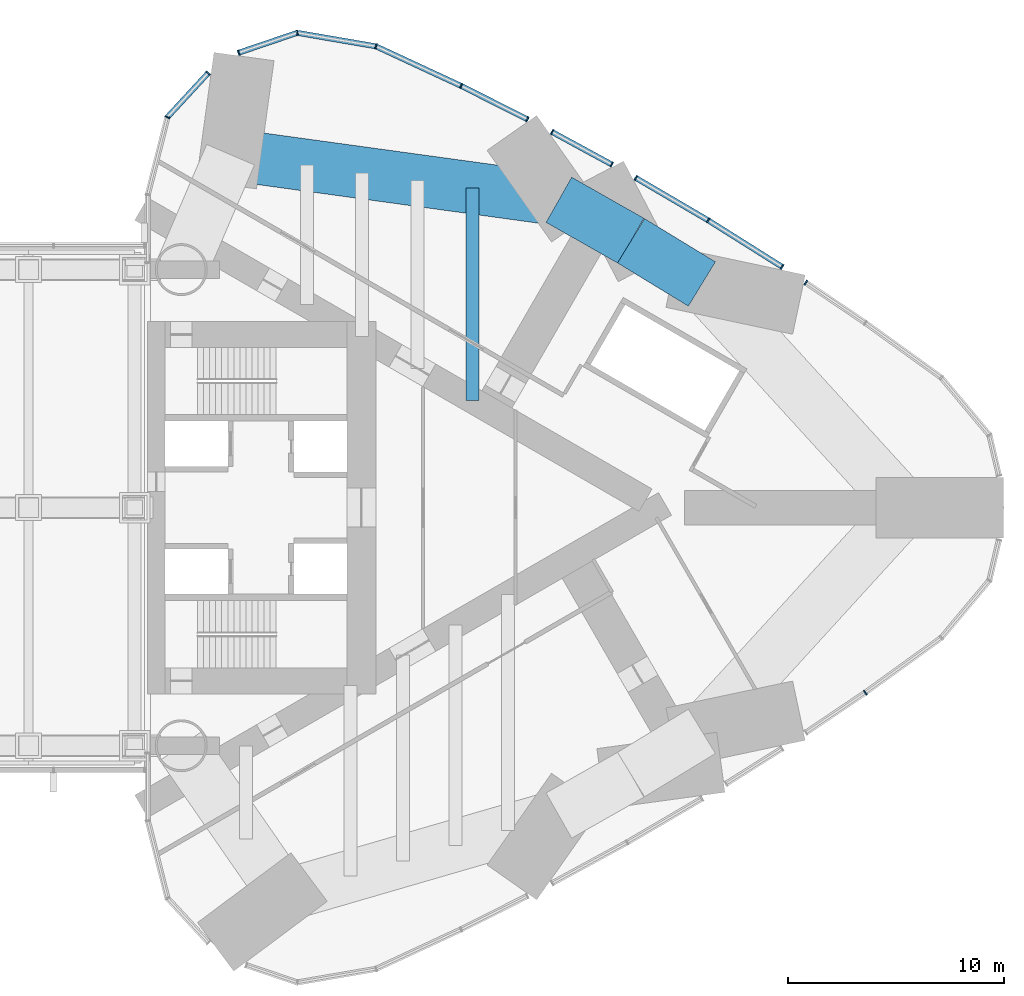
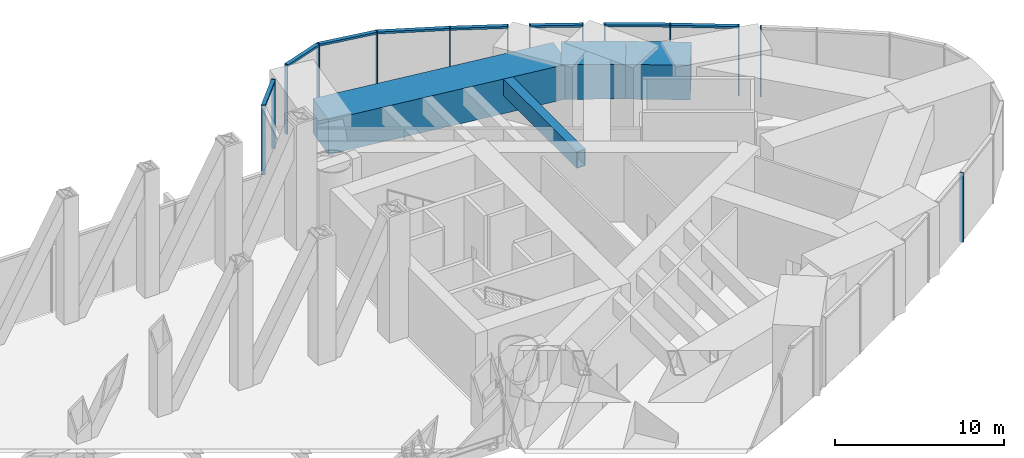
# One storey, part 12 of 21: 22 members, 4 beams, 6 elements without a shape of their own.
"""IFC4 building model written with IfcOpenShell, lengths in metres."""

import ifcopenshell
import ifcopenshell.guid

model = None  # the IFC model being written
_history = None  # IfcOwnerHistory: only IFC2X3 demands one
_inside = {}  # id of a spatial element -> (the spatial element, [elements in it])
_under = {}  # id of a project, library or spatial element -> (it, [spatial elements below it])
_declared = {}  # id of a project -> (the project, [libraries it declares])
_typed = {}  # id of a type object -> (the type object, [elements of that type])
_made_of = {}  # id of a material, layer set ... -> (it, [elements and type objects made of it])


def new_model(schema):
    """Start an empty IFC model of exactly this schema.

    Asked for "IFC4X3", IfcOpenShell would pick the latest addendum, in which some entities
    have other attributes; the version numbers below select the first issue.
    IFC2X3 requires an IfcOwnerHistory on every rooted entity: one is made here for all.
    """
    global model, _history
    if schema == "IFC4X3":
        model = ifcopenshell.file(schema_version=(4, 3, 0, 0))
    else:
        model = ifcopenshell.file(schema=schema)
    _inside.clear()
    _under.clear()
    _declared.clear()
    _typed.clear()
    _made_of.clear()
    _history = None
    if model.schema == "IFC2X3":
        org = make("IfcOrganization", Name="unknown")
        user = make(
            "IfcPersonAndOrganization",
            ThePerson=make("IfcPerson", FamilyName="unknown"),
            TheOrganization=org,
        )
        app = make(
            "IfcApplication",
            ApplicationDeveloper=org,
            Version="unknown",
            ApplicationFullName="unknown",
            ApplicationIdentifier="unknown",
        )
        _history = make(
            "IfcOwnerHistory",
            OwningUser=user,
            OwningApplication=app,
            ChangeAction="ADDED",
            CreationDate=0,
        )
    return model


def make(cls, **values):
    """One entity of the class cls with the attributes given. An attribute that is None is left unset."""
    return model.create_entity(
        cls, **{name: value for name, value in values.items() if value is not None}
    )


def rooted(cls, **values):
    """An entity with a GlobalId (a new one), such as an element, a storey or a relation."""
    return make(cls, GlobalId=ifcopenshell.guid.new(), OwnerHistory=_history, **values)


def si_unit(unit_type, name, prefix=None):
    """IfcSIUnit, for example si_unit("LENGTHUNIT", "METRE", prefix="MILLI")."""
    return make("IfcSIUnit", UnitType=unit_type, Prefix=prefix, Name=name)


def assignment(units):
    """IfcUnitAssignment: the units of a project."""
    return None if units is None else make("IfcUnitAssignment", Units=units)


def point(xyz):
    """IfcCartesianPoint."""
    return None if xyz is None else make("IfcCartesianPoint", Coordinates=xyz)


def direction(xyz):
    """IfcDirection."""
    return None if xyz is None else make("IfcDirection", DirectionRatios=xyz)


def frame(location, z_axis=None, x_axis=None):
    """IfcAxis2Placement3D, a coordinate frame: its origin and axes. An axis left out is left unset."""
    return make(
        "IfcAxis2Placement3D",
        Location=point(location),
        Axis=direction(z_axis),
        RefDirection=direction(x_axis),
    )


def frame_2d(location, x_axis=None):
    """IfcAxis2Placement2D, a coordinate frame in the plane: its origin and x axis."""
    return make(
        "IfcAxis2Placement2D", Location=point(location), RefDirection=direction(x_axis)
    )


def origin():
    """The frame at (0, 0, 0) with its axes left unset."""
    return frame((0.0, 0.0, 0.0))


def origin_2d():
    """The frame at (0, 0) in the plane with its x axis left unset."""
    return frame_2d((0.0, 0.0))


def place(relative_to, where):
    """IfcLocalPlacement: puts the frame where relative to a parent placement (None: the world)."""
    return make(
        "IfcLocalPlacement", PlacementRelTo=relative_to, RelativePlacement=where
    )


def context(
    kind, dimensions, precision=None, world=None, true_north=None, identifier=None
):
    """IfcGeometricRepresentationContext, for example the 3D "Model" context."""
    return make(
        "IfcGeometricRepresentationContext",
        ContextIdentifier=identifier,
        ContextType=kind,
        CoordinateSpaceDimension=dimensions,
        Precision=precision,
        WorldCoordinateSystem=world,
        TrueNorth=true_north,
    )


def subcontext(parent, identifier, kind, view, scale=None):
    """IfcGeometricRepresentationSubContext, for example "Body" below "Model"."""
    return make(
        "IfcGeometricRepresentationSubContext",
        ContextIdentifier=identifier,
        ContextType=kind,
        ParentContext=parent,
        TargetScale=scale,
        TargetView=view,
    )


def project(units=None, contexts=None):
    """IfcProject with its units and contexts."""
    return rooted(
        "IfcProject",
        Name="project",
        RepresentationContexts=contexts,
        UnitsInContext=assignment(units),
    )


def spatial(cls, under=None, at=None, **own):
    """A site, building, storey or space (cls), placed at a placement, below another one or the project."""
    s = rooted(cls, ObjectPlacement=at, **own)
    if under is not None:
        _under.setdefault(under.id(), (under, []))[1].append(s)
    return s


def profile(cls, at=None, kind="AREA", **sizes):
    """A parametric profile (cls). Its sizes go by their IFC names, for example OverallWidth=200.0."""
    return make(cls, ProfileType=kind, Position=at, **sizes)


def rectangle(**sizes):
    """IfcRectangleProfileDef."""
    return profile("IfcRectangleProfileDef", **sizes)


def hollow_rectangle(**sizes):
    """IfcRectangleHollowProfileDef."""
    return profile("IfcRectangleHollowProfileDef", **sizes)


def extrude(swept, where, along, depth):
    """IfcExtrudedAreaSolid: the profile swept, set in the frame where, extruded along a direction by depth."""
    return make(
        "IfcExtrudedAreaSolid",
        SweptArea=swept,
        Position=where,
        ExtrudedDirection=direction(along),
        Depth=depth,
    )


def shape(context_of_items, identifier, shape_type, items):
    """IfcShapeRepresentation: the items that make up one representation, for example the "Body"."""
    return make(
        "IfcShapeRepresentation",
        ContextOfItems=context_of_items,
        RepresentationIdentifier=identifier,
        RepresentationType=shape_type,
        Items=items,
    )


def material(Name=None, Category=None):
    """IfcMaterial."""
    return make("IfcMaterial", Name=Name, Category=Category)


def material_profile(
    of_material, cross_section, Name=None, Category=None, Priority=None
):
    """IfcMaterialProfile: a cross section and its material."""
    return make(
        "IfcMaterialProfile",
        Name=Name,
        Material=of_material,
        Profile=cross_section,
        Priority=Priority,
        Category=Category,
    )


def profile_set(profiles, Name=None, composite=None):
    """IfcMaterialProfileSet."""
    return make(
        "IfcMaterialProfileSet",
        Name=Name,
        MaterialProfiles=profiles,
        CompositeProfile=composite,
    )


def made_of(thing, what):
    """Note that an element or type object is made of a material, layer set ...; save() writes the relation."""
    if what is not None:
        _made_of.setdefault(what.id(), (what, []))[1].append(thing)
    return thing


def type_object(cls, material=None, **own):
    """A type object (cls), such as IfcWallType, which elements share."""
    return made_of(rooted(cls, **own), material)


def element(
    cls,
    number,
    at=None,
    inside=None,
    cuts=None,
    type_object=None,
    material=None,
    context=None,
    identifier="Body",
    shape_type=None,
    held_by="IfcProductDefinitionShape",
    body=None,
    shapes=None,
    **own,
):
    """One element of the class cls, such as IfcWall. Its Tag is "e" and its number.

    at: its placement. inside: the storey or other place that contains it. cuts: it is an
    opening in that element (IfcRelVoidsElement). A single representation is given by context,
    identifier, shape_type and body (its items); several are given by shapes. held_by: the class
    of the entity that holds the representations. save() writes the other relations.
    """
    e = rooted(cls, Tag="e%d" % number, ObjectPlacement=at, **own)
    if body is not None:
        shapes = [shape(context, identifier, shape_type, body)]
    if shapes is not None:
        e.Representation = make(held_by, Representations=shapes)
    if inside is not None:
        _inside.setdefault(inside.id(), (inside, []))[1].append(e)
    if cuts is not None:
        rooted(
            "IfcRelVoidsElement", RelatingBuildingElement=cuts, RelatedOpeningElement=e
        )
    if type_object is not None:
        _typed.setdefault(type_object.id(), (type_object, []))[1].append(e)
    return made_of(e, material)


def aggregate(whole, parts):
    """IfcRelAggregates: a whole, such as a stair, and the parts it consists of."""
    return rooted("IfcRelAggregates", RelatingObject=whole, RelatedObjects=parts)


def save(model, path):
    """Write the relations noted so far, then the file.

    IfcRelAggregates (storeys below a building ...), IfcRelContainedInSpatialStructure (elements
    in a storey), IfcRelDefinesByType, IfcRelAssociatesMaterial and IfcRelDeclares: one each for
    every whole, place, type object, material and project.
    """
    for whole, parts in _under.values():
        aggregate(whole, parts)
    for where, things in _inside.values():
        rooted(
            "IfcRelContainedInSpatialStructure",
            RelatedElements=things,
            RelatingStructure=where,
        )
    for kind, things in _typed.values():
        rooted("IfcRelDefinesByType", RelatedObjects=things, RelatingType=kind)
    for what, things in _made_of.values():
        rooted("IfcRelAssociatesMaterial", RelatedObjects=things, RelatingMaterial=what)
    for by, libraries in _declared.values():
        rooted("IfcRelDeclares", RelatingContext=by, RelatedDefinitions=libraries)
    model.write(path)


model = new_model("IFC4")

# Units and contexts
model_context = context("Model", 3, precision=1e-05, world=origin(), true_north=direction((0.0, 1.0)))
body_context = subcontext(model_context, "Body", "Model", "MODEL_VIEW")
ifc_project = project(units=[si_unit("LENGTHUNIT", "METRE"), si_unit("AREAUNIT", "SQUARE_METRE"), si_unit("VOLUMEUNIT", "CUBIC_METRE"), si_unit("PLANEANGLEUNIT", "RADIAN"), si_unit("MASSUNIT", "GRAM", prefix="KILO")], contexts=[model_context])

# Site, building, storey
site_placement = place(None, origin())
site = spatial("IfcSite", under=ifc_project, at=site_placement, CompositionType="ELEMENT")
building_placement = place(site_placement, origin())
building = spatial("IfcBuilding", under=site, at=building_placement, Name="Lancet Gate Hotel", CompositionType="ELEMENT")
storey_placement = place(building_placement, frame((0.0, 0.0, 205.300048828125)))
storey = spatial("IfcBuildingStorey", under=building, at=storey_placement, Name="L55", CompositionType="ELEMENT", Elevation=205.300048828125)

# Curtain wall, member
ifc_material_1 = material(Name="Aluminium curtain wall", Category="aluminium")
curtain_wall_type = type_object("IfcCurtainWallType", Name="Refuge storey louvred curtain wall", PredefinedType="USERDEFINED", material=ifc_material_1)
curtain_wall_1_placement = place(storey_placement, origin())
curtain_wall_1 = element("IfcCurtainWall", 1, at=curtain_wall_1_placement, inside=storey, type_object=curtain_wall_type, Name="T2 L55 curtain wall 5", ObjectType="LANTERN GLAZING", PredefinedType="USERDEFINED")
ifc_material_2 = material(Name="Aluminium mullion", Category="aluminium")
ifc_material_profile_1 = material_profile(ifc_material_2, rectangle(XDim=0.06494140625, YDim=0.25, at=origin_2d()), Name="MULLION 65x250")
ifc_profile_set_1 = profile_set([ifc_material_profile_1], Name="Aluminium mullion")
member_type_1 = type_object("IfcMemberType", Name="Aluminium mullion 65x250", PredefinedType="MULLION", material=ifc_profile_set_1)
member_1_placement = place(storey_placement, frame((60.66015625, -8.547607421875, 0.0), z_axis=(0.0, 0.0, 1.0), x_axis=(0.818865629358, 0.573985262055, 0.0)))
member_1 = element("IfcMember", 2, at=member_1_placement, type_object=member_type_1, Name="T2 L55 curtain wall 5 mullion 2", PredefinedType="MULLION", context=body_context, shape_type="SweptSolid", body=[
    extrude(rectangle(XDim=0.06494140625, YDim=0.25, at=origin_2d()), origin(), (0.0, 0.0, 1.0), 5.0),
])
aggregate(curtain_wall_1, [member_1])

curtain_wall_2_placement = place(storey_placement, origin())
curtain_wall_2 = element("IfcCurtainWall", 3, at=curtain_wall_2_placement, inside=storey, type_object=curtain_wall_type, Name="T2 L55 curtain wall 6", ObjectType="LANTERN GLAZING", PredefinedType="USERDEFINED")
member_2_placement = place(storey_placement, frame((57.90673828125, 10.404541015625, 0.0), z_axis=(0.0, 0.0, 1.0), x_axis=(-0.829038793948, 0.559191092677, 0.0)))
member_2 = element("IfcMember", 4, at=member_2_placement, type_object=member_type_1, Name="T2 L55 curtain wall 6 mullion 5", PredefinedType="MULLION", context=body_context, shape_type="SweptSolid", body=[
    extrude(rectangle(XDim=0.06494140625, YDim=0.25, at=origin_2d()), origin(), (0.0, 0.0, 1.0), 5.0),
])
aggregate(curtain_wall_2, [member_2])

# Curtain wall, members
curtain_wall_3_placement = place(storey_placement, origin())
curtain_wall_3 = element("IfcCurtainWall", 5, at=curtain_wall_3_placement, inside=storey, type_object=curtain_wall_type, Name="T2 L55 curtain wall 7", ObjectType="LANTERN GLAZING", PredefinedType="USERDEFINED")
member_3_placement = place(storey_placement, frame((56.81591796875, 11.129150390625, 0.0), z_axis=(0.0, 0.0, 1.0), x_axis=(-0.846352453444, 0.532623248225, 0.0)))
member_3 = element("IfcMember", 6, at=member_3_placement, type_object=member_type_1, Name="T2 L55 curtain wall 7 mullion 1", PredefinedType="MULLION", context=body_context, shape_type="SweptSolid", body=[
    extrude(rectangle(XDim=0.06494140625, YDim=0.25, at=origin_2d()), origin(), (0.0, 0.0, 1.0), 5.0),
])
member_4_placement = place(storey_placement, frame((53.39892578125, 13.279541015625, 0.0), z_axis=(0.0, 0.0, 1.0), x_axis=(-0.854524909331, 0.519410415117, 0.0)))
member_4 = element("IfcMember", 7, at=member_4_placement, type_object=member_type_1, Name="T2 L55 curtain wall 7 mullion 2", PredefinedType="MULLION", context=body_context, shape_type="SweptSolid", body=[
    extrude(rectangle(XDim=0.06494140625, YDim=0.25, at=origin_2d()), origin(), (0.0, 0.0, 1.0), 5.0),
])
member_5_placement = place(storey_placement, frame((50.053466796875, 15.239501953125, 0.0), z_axis=(0.0, 0.0, 1.0), x_axis=(-0.862815009772, 0.505519790822, 0.0)))
member_5 = element("IfcMember", 8, at=member_5_placement, type_object=member_type_1, Name="T2 L55 curtain wall 7 mullion 3", PredefinedType="MULLION", context=body_context, shape_type="SweptSolid", body=[
    extrude(rectangle(XDim=0.06494140625, YDim=0.25, at=origin_2d()), origin(), (0.0, 0.0, 1.0), 5.0),
])

curtain_wall_4_placement = place(storey_placement, origin())
curtain_wall_4 = element("IfcCurtainWall", 9, at=curtain_wall_4_placement, inside=storey, type_object=curtain_wall_type, Name="T2 L55 curtain wall 8", ObjectType="LANTERN GLAZING", PredefinedType="USERDEFINED")
member_6_placement = place(storey_placement, frame((48.946533203125, 15.8583984375, 0.0), z_axis=(0.0, 0.0, 1.0), x_axis=(-0.878409907967, 0.477907976063, 0.0)))
member_6 = element("IfcMember", 10, at=member_6_placement, type_object=member_type_1, Name="T2 L55 curtain wall 8 mullion 1", PredefinedType="MULLION", context=body_context, shape_type="SweptSolid", body=[
    extrude(rectangle(XDim=0.06494140625, YDim=0.25, at=origin_2d()), origin(), (0.0, 0.0, 1.0), 5.0),
])
member_7_placement = place(storey_placement, frame((46.186279296875, 17.360107421875, 0.0), z_axis=(0.0, 0.0, 1.0), x_axis=(-0.878409907967, 0.477907976063, 0.0)))
member_7 = element("IfcMember", 11, at=member_7_placement, type_object=member_type_1, Name="T2 L55 curtain wall 8 mullion 2", PredefinedType="MULLION", context=body_context, shape_type="SweptSolid", body=[
    extrude(rectangle(XDim=0.06494140625, YDim=0.25, at=origin_2d()), origin(), (0.0, 0.0, 1.0), 5.0),
])

curtain_wall_5_placement = place(storey_placement, origin())
curtain_wall_5 = element("IfcCurtainWall", 12, at=curtain_wall_5_placement, inside=storey, type_object=curtain_wall_type, Name="T2 L55 curtain wall 9", ObjectType="LANTERN GLAZING", PredefinedType="USERDEFINED")
member_8_placement = place(storey_placement, frame((45.04443359375, 17.94873046875, 0.0), z_axis=(0.0, 0.0, 1.0), x_axis=(-0.893121465596, 0.449815570752, 0.0)))
member_8 = element("IfcMember", 13, at=member_8_placement, type_object=member_type_1, Name="T2 L55 curtain wall 9 mullion 1", PredefinedType="MULLION", context=body_context, shape_type="SweptSolid", body=[
    extrude(rectangle(XDim=0.06494140625, YDim=0.25, at=origin_2d()), origin(), (0.0, 0.0, 1.0), 5.0),
])
member_9_placement = place(storey_placement, frame((41.98193359375, 19.490966796875, 0.0), z_axis=(0.0, 0.0, 1.0), x_axis=(-0.900945073021, 0.433933146232, 0.0)))
member_9 = element("IfcMember", 14, at=member_9_placement, type_object=member_type_1, Name="T2 L55 curtain wall 9 mullion 2", PredefinedType="MULLION", context=body_context, shape_type="SweptSolid", body=[
    extrude(rectangle(XDim=0.06494140625, YDim=0.25, at=origin_2d()), origin(), (0.0, 0.0, 1.0), 5.0),
])
member_10_placement = place(storey_placement, frame((38.05126953125, 21.31689453125, 0.0), z_axis=(0.0, 0.0, 1.0), x_axis=(-0.951355493327, 0.308095318555, 0.0)))
member_10 = element("IfcMember", 15, at=member_10_placement, type_object=member_type_1, Name="T2 L55 curtain wall 9 mullion 3", PredefinedType="MULLION", context=body_context, shape_type="SweptSolid", body=[
    extrude(rectangle(XDim=0.06494140625, YDim=0.25, at=origin_2d()), origin(), (0.0, 0.0, 1.0), 5.0),
])
member_11_placement = place(storey_placement, frame((34.412109375, 21.9423828125, 0.0), z_axis=(0.0, 0.0, 1.0), x_axis=(-0.99893715472, -0.046092959559, 0.0)))
member_11 = element("IfcMember", 16, at=member_11_placement, type_object=member_type_1, Name="T2 L55 curtain wall 9 mullion 4", PredefinedType="MULLION", context=body_context, shape_type="SweptSolid", body=[
    extrude(rectangle(XDim=0.06494140625, YDim=0.25, at=origin_2d()), origin(), (0.0, 0.0, 1.0), 5.0),
])
member_12_placement = place(storey_placement, frame((31.705810546875, 21.02392578125, 0.0), z_axis=(0.0, 0.0, 1.0), x_axis=(-0.946952368511, -0.321373943827, 0.0)))
member_12 = element("IfcMember", 17, at=member_12_placement, type_object=member_type_1, Name="T2 L55 curtain wall 9 mullion 5", PredefinedType="MULLION", context=body_context, shape_type="SweptSolid", body=[
    extrude(rectangle(XDim=0.06494140625, YDim=0.25, at=origin_2d()), origin(), (0.0, 0.0, 1.0), 5.0),
])

curtain_wall_6_placement = place(storey_placement, origin())
curtain_wall_6 = element("IfcCurtainWall", 18, at=curtain_wall_6_placement, inside=storey, type_object=curtain_wall_type, Name="T2 L55 curtain wall 10", ObjectType="LANTERN GLAZING", PredefinedType="USERDEFINED")
member_13_placement = place(storey_placement, frame((30.28955078125, 20.07861328125, 0.0), z_axis=(0.0, 0.0, 1.0), x_axis=(-0.67883123083, -0.734294327943, 0.0)))
member_13 = element("IfcMember", 19, at=member_13_placement, type_object=member_type_1, Name="T2 L55 curtain wall 10 mullion 1", PredefinedType="MULLION", context=body_context, shape_type="SweptSolid", body=[
    extrude(rectangle(XDim=0.06494140625, YDim=0.25, at=origin_2d()), origin(), (0.0, 0.0, 1.0), 5.0),
])
member_14_placement = place(storey_placement, frame((28.408935546875, 18.04443359375, 0.0), z_axis=(0.0, 0.0, 1.0), x_axis=(-0.445044246397, -0.895508581058, 0.0)))
member_14 = element("IfcMember", 20, at=member_14_placement, type_object=member_type_1, Name="T2 L55 curtain wall 10 mullion 2", PredefinedType="MULLION", context=body_context, shape_type="SweptSolid", body=[
    extrude(rectangle(XDim=0.06494140625, YDim=0.25, at=origin_2d()), origin(), (0.0, 0.0, 1.0), 5.0),
])

# Member
ifc_material_3 = material(Name="Aluminium transom", Category="aluminium")
ifc_material_profile_2 = material_profile(ifc_material_3, rectangle(XDim=0.25, YDim=0.14990234375, at=origin_2d()), Name="TRANSOM 250x150")
ifc_profile_set_2 = profile_set([ifc_material_profile_2], Name="Aluminium transom")
member_type_2 = type_object("IfcMemberType", Name="Aluminium transom 250x150", PredefinedType="USERDEFINED", material=ifc_profile_set_2)
member_15_placement = place(storey_placement, frame((56.788330078125, 11.146484375, 4.925048828125), z_axis=(-0.846343672289, 0.532637201457, 0.0), x_axis=(-0.532637201457, -0.846343672289, 0.0)))
member_15 = element("IfcMember", 21, at=member_15_placement, type_object=member_type_2, Name="T2 L55 curtain wall 7 transom 1", ObjectType="TRANSOM", PredefinedType="USERDEFINED", context=body_context, shape_type="SweptSolid", body=[
    extrude(rectangle(XDim=0.25, YDim=0.14990234375, at=origin_2d()), origin(), (0.0, 0.0, 1.0), 3.97216796875),
])

member_16_placement = place(storey_placement, frame((53.37109375, 13.2958984375, 4.925048828125), z_axis=(-0.862825108715, 0.505502553674, 0.0), x_axis=(-0.505502553674, -0.862825108715, 0.0)))
member_16 = element("IfcMember", 22, at=member_16_placement, type_object=member_type_2, Name="T2 L55 curtain wall 7 transom 2", ObjectType="TRANSOM", PredefinedType="USERDEFINED", context=body_context, shape_type="SweptSolid", body=[
    extrude(rectangle(XDim=0.25, YDim=0.14990234375, at=origin_2d()), origin(), (0.0, 0.0, 1.0), 3.8125),
])

aggregate(curtain_wall_3, [member_3, member_4, member_5, member_15, member_16])

member_17_placement = place(storey_placement, frame((48.91796875, 15.873779296875, 4.925048828125), z_axis=(-0.878404441508, 0.477918023451, 0.0), x_axis=(-0.477918023451, -0.878404441508, 0.0)))
member_17 = element("IfcMember", 23, at=member_17_placement, type_object=member_type_2, Name="T2 L55 curtain wall 8 transom 1", ObjectType="TRANSOM", PredefinedType="USERDEFINED", context=body_context, shape_type="SweptSolid", body=[
    extrude(rectangle(XDim=0.25, YDim=0.14990234375, at=origin_2d()), origin(), (0.0, 0.0, 1.0), 3.077392578125),
])

aggregate(curtain_wall_4, [member_6, member_7, member_17])

member_18_placement = place(storey_placement, frame((45.015380859375, 17.96337890625, 4.925048828125), z_axis=(-0.893146167773, 0.449766520534, 0.0), x_axis=(-0.449766520534, -0.893146167773, 0.0)))
member_18 = element("IfcMember", 24, at=member_18_placement, type_object=member_type_2, Name="T2 L55 curtain wall 9 transom 1", ObjectType="TRANSOM", PredefinedType="USERDEFINED", context=body_context, shape_type="SweptSolid", body=[
    extrude(rectangle(XDim=0.25, YDim=0.14990234375, at=origin_2d()), origin(), (0.0, 0.0, 1.0), 3.36376953125),
])

member_19_placement = place(storey_placement, frame((41.952392578125, 19.504638671875, 4.925048828125), z_axis=(-0.906913768492, 0.421316290357, 0.0), x_axis=(-0.421316290357, -0.906913768492, 0.0)))
member_19 = element("IfcMember", 25, at=member_19_placement, type_object=member_type_2, Name="T2 L55 curtain wall 9 transom 2", ObjectType="TRANSOM", PredefinedType="USERDEFINED", context=body_context, shape_type="SweptSolid", body=[
    extrude(rectangle(XDim=0.25, YDim=0.14990234375, at=origin_2d()), origin(), (0.0, 0.0, 1.0), 4.26904296875),
])

member_20_placement = place(storey_placement, frame((38.019287109375, 21.322265625, 4.925048828125), z_axis=(-0.985536950873, 0.169460669373, 0.0), x_axis=(-0.169460669373, -0.985536950873, 0.0)))
member_20 = element("IfcMember", 26, at=member_20_placement, type_object=member_type_2, Name="T2 L55 curtain wall 9 transom 3", ObjectType="TRANSOM", PredefinedType="USERDEFINED", context=body_context, shape_type="SweptSolid", body=[
    extrude(rectangle(XDim=0.25, YDim=0.14990234375, at=origin_2d()), origin(), (0.0, 0.0, 1.0), 3.627685546875),
])

member_21_placement = place(storey_placement, frame((34.38134765625, 21.93212890625, 4.925048828125), z_axis=(-0.946938323668, -0.321415325037, 0.0), x_axis=(0.321415325037, -0.946938323668, 0.0)))
member_21 = element("IfcMember", 27, at=member_21_placement, type_object=member_type_2, Name="T2 L55 curtain wall 9 transom 4", ObjectType="TRANSOM", PredefinedType="USERDEFINED", context=body_context, shape_type="SweptSolid", body=[
    extrude(rectangle(XDim=0.25, YDim=0.14990234375, at=origin_2d()), origin(), (0.0, 0.0, 1.0), 2.79296875),
])

aggregate(curtain_wall_5, [member_8, member_9, member_10, member_11, member_12, member_18, member_19, member_20, member_21])

member_22_placement = place(storey_placement, frame((30.267578125, 20.054931640625, 4.925048828125), z_axis=(-0.678812160066, -0.734311957785, 0.0), x_axis=(0.734311957785, -0.678812160066, 0.0)))
member_22 = element("IfcMember", 28, at=member_22_placement, type_object=member_type_2, Name="T2 L55 curtain wall 10 transom 1", ObjectType="TRANSOM", PredefinedType="USERDEFINED", context=body_context, shape_type="SweptSolid", body=[
    extrude(rectangle(XDim=0.25, YDim=0.14990234375, at=origin_2d()), origin(), (0.0, 0.0, 1.0), 2.705322265625),
])

aggregate(curtain_wall_6, [member_13, member_14, member_22])

# Beams
ifc_material_4 = material(Name="Steel S460QL", Category="steel")
ifc_material_profile_3 = material_profile(ifc_material_4, hollow_rectangle(XDim=0.60009765625, YDim=1.199951171875, WallThickness=0.050048828125, at=origin_2d()), Name="BOX 1200x600x50")
ifc_profile_set_3 = profile_set([ifc_material_profile_3], Name="Steel S460QL")
beam_type_1 = type_object("IfcBeamType", Name="Refuge floor beam BOX 1200x600x50", PredefinedType="BEAM", material=ifc_profile_set_3)
beam_1_placement = place(storey_placement, frame((42.51904296875, 4.95556640625, 4.14990234375), z_axis=(0.0, 1.0, 0.0), x_axis=(-1.0, 0.0, 0.0)))
element("IfcBeam", 29, at=beam_1_placement, inside=storey, type_object=beam_type_1, Name="T2 floor beam F08N L55", PredefinedType="BEAM", context=body_context, shape_type="SweptSolid", body=[
    extrude(hollow_rectangle(XDim=0.60009765625, YDim=1.199951171875, WallThickness=0.050048828125, at=origin_2d()), origin(), (0.0, 0.0, 1.0), 9.817138671875),
])
ifc_material_5 = material(Name="Concrete C50/60", Category="concrete")
ifc_material_profile_4 = material_profile(ifc_material_5, rectangle(XDim=2.39990234375, YDim=2.5, at=origin_2d()), Name="RC 2400x2500")
ifc_profile_set_4 = profile_set([ifc_material_profile_4], Name="Concrete C50/60")
beam_type_2 = type_object("IfcBeamType", Name="Tie ring beam RC 2400x2500", PredefinedType="SPANDREL", material=ifc_profile_set_4)
beam_2_placement = place(storey_placement, frame((53.107666015625, 10.333984375, 3.5), z_axis=(-0.853604257265, 0.520922040212, 0.0), x_axis=(-0.520922040212, -0.853604257265, 0.0)))
element("IfcBeam", 30, at=beam_2_placement, inside=storey, type_object=beam_type_2, Name="T2 tie ring beam RG1 L55", PredefinedType="SPANDREL", context=body_context, shape_type="SweptSolid", body=[
    extrude(rectangle(XDim=2.39990234375, YDim=2.5, at=origin_2d()), origin(), (0.0, 0.0, 1.0), 3.835205078125),
])
beam_3_placement = place(storey_placement, frame((49.833984375, 12.331787109375, 3.5), z_axis=(-0.869560321562, 0.493826738001, 0.0), x_axis=(-0.493826738001, -0.869560321562, 0.0)))
element("IfcBeam", 31, at=beam_3_placement, inside=storey, type_object=beam_type_2, Name="T2 tie ring beam RG1 L55", PredefinedType="SPANDREL", context=body_context, shape_type="SweptSolid", body=[
    extrude(rectangle(XDim=2.39990234375, YDim=2.5, at=origin_2d()), origin(), (0.0, 0.0, 1.0), 3.8349609375),
])
beam_4_placement = place(storey_placement, frame((46.499267578125, 14.2255859375, 3.5), z_axis=(-0.990685830783, 0.13616748762, 0.0), x_axis=(-0.13616748762, -0.990685830783, 0.0)))
element("IfcBeam", 32, at=beam_4_placement, inside=storey, type_object=beam_type_2, Name="T2 tie ring beam RG1 L55", PredefinedType="SPANDREL", context=body_context, shape_type="SweptSolid", body=[
    extrude(rectangle(XDim=2.39990234375, YDim=2.5, at=origin_2d()), origin(), (0.0, 0.0, 1.0), 15.3134765625),
])

save(model, "model.ifc")
